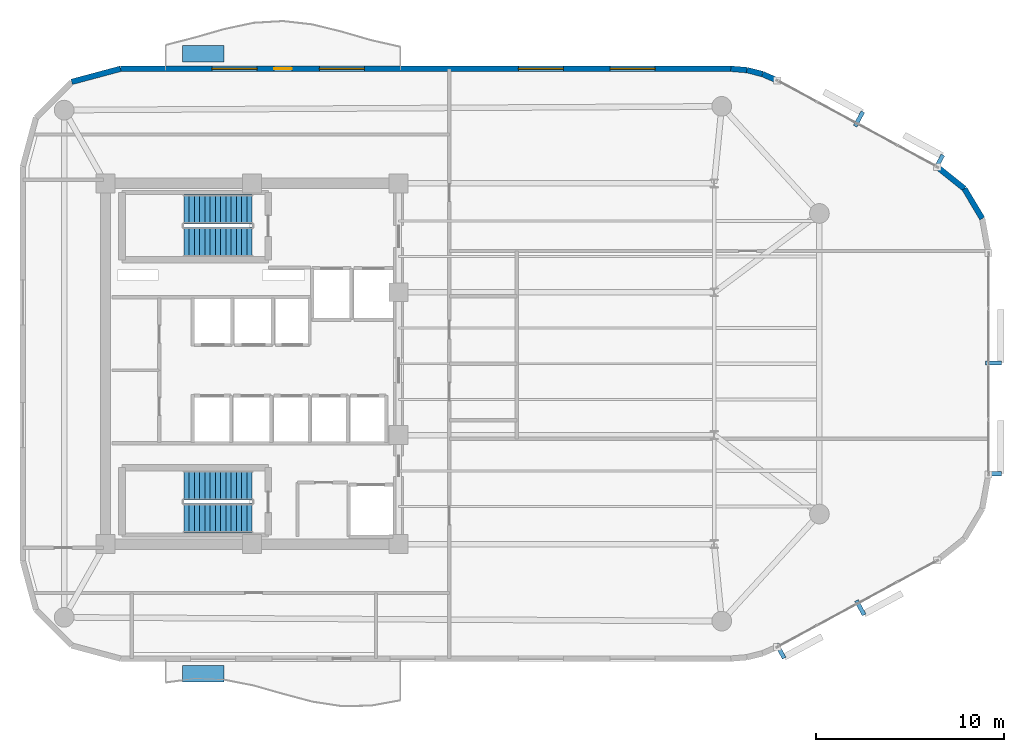
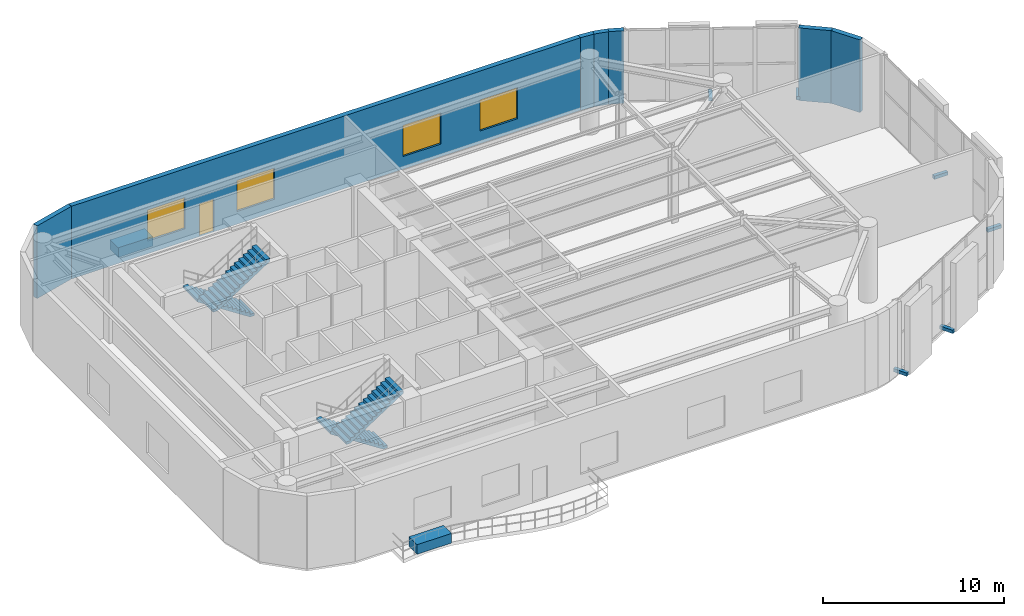
# One storey, part 9 of 11: 8 discrete accessories, 7 walls, 4 stair flights, 4 windows, 1 door, 5 openings, 2 elements without a shape of their own.
"""IFC4 building model written with IfcOpenShell, lengths in metres."""

from ifc_helpers import new_model, si_unit, direction, frame, frame_2d, origin, origin_2d, place, context, subcontext, project, spatial, polyline, rectangle, outline, extrude, material, layer, layer_set, type_object, element, fill, aggregate, save


model = new_model("IFC4")

# Units and contexts
model_context = context("Model", 3, precision=1e-05, world=origin(), true_north=direction((0.0, 1.0)))
body_context = subcontext(model_context, "Body", "Model", "MODEL_VIEW")
ifc_project = project(units=[si_unit("LENGTHUNIT", "METRE"), si_unit("AREAUNIT", "SQUARE_METRE"), si_unit("VOLUMEUNIT", "CUBIC_METRE"), si_unit("PLANEANGLEUNIT", "RADIAN"), si_unit("MASSUNIT", "GRAM", prefix="KILO")], contexts=[model_context])

# Site, building, storey
site_placement = place(None, origin())
site = spatial("IfcSite", under=ifc_project, at=site_placement, CompositionType="ELEMENT")
building_placement = place(site_placement, origin())
building = spatial("IfcBuilding", under=site, at=building_placement, Name="An Khanh Terracotta Commons", CompositionType="ELEMENT")
storey_placement = place(building_placement, frame((0.0, 0.0, 196.199951171875)))
storey = spatial("IfcBuildingStorey", under=building, at=storey_placement, Name="L51", CompositionType="ELEMENT", Elevation=196.199951171875)

# Walls
ifc_material_1 = material(Name="Precast concrete C40/50", Category="concrete")
ifc_layer = layer(ifc_material_1, 0.300048828125, Name="Precast concrete C40/50")
ifc_layer_set = layer_set([ifc_layer], Name="Precast concrete C40/50")
wall_type = type_object("IfcWallType", Name="WALL-EXT-300", PredefinedType="SOLIDWALL", material=ifc_layer_set)
wall_1_placement = place(storey_placement, frame((68.26904296875, 31.72412109375, 0.0), z_axis=(0.0, 0.0, 1.0), x_axis=(-0.512072018927, 0.858942516955, 0.0)))
element("IfcWall", 1, at=wall_1_placement, inside=storey, type_object=wall_type, Name="L51 Insulated Terracotta Exterior Wall 14", PredefinedType="SOLIDWALL", context=body_context, shape_type="SweptSolid", body=[
    extrude(rectangle(XDim=1.853271484375, YDim=0.300048828125, at=frame_2d((0.9267578125, 0.0))), origin(), (0.0, 0.0, 1.0), 4.900146484375),
])
wall_2_placement = place(storey_placement, frame((67.320068359375, 33.31591796875, 0.0), z_axis=(0.0, 0.0, 1.0), x_axis=(-0.780920189257, 0.624630817372, 0.0)))
element("IfcWall", 2, at=wall_2_placement, inside=storey, type_object=wall_type, Name="L51 Insulated Terracotta Exterior Wall 15", PredefinedType="SOLIDWALL", context=body_context, shape_type="SweptSolid", body=[
    extrude(rectangle(XDim=1.854248046875, YDim=0.300048828125, at=frame_2d((0.92724609375, 0.0))), origin(), (0.0, 0.0, 1.0), 4.900146484375),
])
wall_3_placement = place(storey_placement, frame((57.35693359375, 39.074951171875, 0.0), z_axis=(0.0, 0.0, 1.0), x_axis=(-0.916085473636, 0.400983048261, 0.0)))
element("IfcWall", 3, at=wall_3_placement, inside=storey, type_object=wall_type, Name="L51 Insulated Terracotta Exterior Wall 17", PredefinedType="SOLIDWALL", context=body_context, shape_type="SweptSolid", body=[
    extrude(rectangle(XDim=0.85791015625, YDim=0.300048828125, at=frame_2d((0.428955078125, 0.0))), origin(), (0.0, 0.0, 1.0), 4.900146484375),
])
wall_4_placement = place(storey_placement, frame((56.571044921875, 39.4189453125, 0.0), z_axis=(0.0, 0.0, 1.0), x_axis=(-0.969536346338, 0.244947490555, 0.0)))
element("IfcWall", 4, at=wall_4_placement, inside=storey, type_object=wall_type, Name="L51 Insulated Terracotta Exterior Wall 18", PredefinedType="SOLIDWALL", context=body_context, shape_type="SweptSolid", body=[
    extrude(rectangle(XDim=0.857177734375, YDim=0.300048828125, at=frame_2d((0.4287109375, 0.0))), origin(), (0.0, 0.0, 1.0), 4.900146484375),
])
wall_5_placement = place(storey_placement, frame((55.739990234375, 39.62890625, 0.0), z_axis=(0.0, 0.0, 1.0), x_axis=(-0.996565355958, 0.082809971041, 0.0)))
element("IfcWall", 5, at=wall_5_placement, inside=storey, type_object=wall_type, Name="L51 Insulated Terracotta Exterior Wall 19", PredefinedType="SOLIDWALL", context=body_context, shape_type="SweptSolid", body=[
    extrude(rectangle(XDim=0.85791015625, YDim=0.300048828125, at=frame_2d((0.428955078125, 0.0))), origin(), (0.0, 0.0, 1.0), 4.900146484375),
])

# Wall, openings, door, windows
wall_6_placement = place(storey_placement, frame((54.885009765625, 39.699951171875, 0.0), z_axis=(0.0, 0.0, 1.0), x_axis=(-1.0, 0.0, 0.0)))
wall_6 = element("IfcWall", 6, at=wall_6_placement, inside=storey, type_object=wall_type, Name="L51 Insulated Terracotta Exterior Wall 20", PredefinedType="SOLIDWALL", context=body_context, shape_type="SweptSolid", body=[
    extrude(rectangle(XDim=32.485107421875, YDim=0.300048828125, at=frame_2d((16.24267578125, 0.0))), origin(), (0.0, 0.0, 1.0), 4.900146484375),
])
opening_1_placement = place(wall_6_placement, frame((23.360107421875, 0.0, 0.0)))
opening_1 = element("IfcOpeningElement", 7, at=opening_1_placement, cuts=wall_6, Name="Opening D-BAL", PredefinedType="OPENING", context=body_context, shape_type="SweptSolid", body=[
    extrude(rectangle(XDim=0.949951171875, YDim=2.199951171875, at=frame_2d((0.47509765625, 1.10009765625))), frame((0.0, 0.159912109375, 0.0), z_axis=(0.0, -1.0, 0.0), x_axis=(1.0, 0.0, 0.0)), (0.0, 0.0, 1.0), 0.320068359375),
])
opening_2_placement = place(wall_6_placement, frame((4.028076171875, 0.0, 0.85009765625)))
opening_2 = element("IfcOpeningElement", 8, at=opening_2_placement, cuts=wall_6, Name="Opening W-07", PredefinedType="OPENING", context=body_context, shape_type="SweptSolid", body=[
    extrude(rectangle(XDim=2.39990234375, YDim=2.10009765625, at=frame_2d((1.199951171875, 1.050048828125))), frame((0.0, 0.159912109375, 0.0), z_axis=(0.0, -1.0, 0.0), x_axis=(1.0, 0.0, 0.0)), (0.0, 0.0, 1.0), 0.320068359375),
])
opening_3_placement = place(wall_6_placement, frame((8.906982421875, 0.0, 0.85009765625)))
opening_3 = element("IfcOpeningElement", 9, at=opening_3_placement, cuts=wall_6, Name="Opening W-07", PredefinedType="OPENING", context=body_context, shape_type="SweptSolid", body=[
    extrude(rectangle(XDim=2.39990234375, YDim=2.10009765625, at=frame_2d((1.199951171875, 1.050048828125))), frame((0.0, 0.159912109375, 0.0), z_axis=(0.0, -1.0, 0.0), x_axis=(1.0, 0.0, 0.0)), (0.0, 0.0, 1.0), 0.320068359375),
])
opening_4_placement = place(wall_6_placement, frame((19.501953125, 0.0, 0.85009765625)))
opening_4 = element("IfcOpeningElement", 10, at=opening_4_placement, cuts=wall_6, Name="Opening W-07", PredefinedType="OPENING", context=body_context, shape_type="SweptSolid", body=[
    extrude(rectangle(XDim=2.39990234375, YDim=2.10009765625, at=frame_2d((1.199951171875, 1.050048828125))), frame((0.0, 0.159912109375, 0.0), z_axis=(0.0, -1.0, 0.0), x_axis=(1.0, 0.0, 0.0)), (0.0, 0.0, 1.0), 0.320068359375),
])
opening_5_placement = place(wall_6_placement, frame((25.218017578125, 0.0, 0.85009765625)))
opening_5 = element("IfcOpeningElement", 11, at=opening_5_placement, cuts=wall_6, Name="Opening W-07", PredefinedType="OPENING", context=body_context, shape_type="SweptSolid", body=[
    extrude(rectangle(XDim=2.39990234375, YDim=2.10009765625, at=frame_2d((1.199951171875, 1.050048828125))), frame((0.0, 0.159912109375, 0.0), z_axis=(0.0, -1.0, 0.0), x_axis=(1.0, 0.0, 0.0)), (0.0, 0.0, 1.0), 0.320068359375),
])
ifc_material_2 = material(Name="Thermally Broken Aluminium and Low-E Glass", Category="aluminium")
door_type = type_object("IfcDoorType", Name="DOOR-BALC-950", OperationType="NOTDEFINED", PredefinedType="DOOR", material=ifc_material_2)
door_placement = place(opening_1_placement, origin())
door = element("IfcDoor", 12, at=door_placement, inside=storey, type_object=door_type, Name="L51 N Wave Balcony Glazed Door", OperationType="SINGLE_SWING_RIGHT", OverallHeight=2.199951171875, OverallWidth=0.949951171875, PredefinedType="DOOR", context=body_context, shape_type="SweptSolid", body=[
    extrude(rectangle(XDim=0.949951171875, YDim=2.199951171875, at=frame_2d((0.47509765625, 1.10009765625))), frame((0.0, 0.02490234375, 0.0), z_axis=(0.0, -1.0, 0.0), x_axis=(1.0, 0.0, 0.0)), (0.0, 0.0, 1.0), 0.050048828125),
])
fill(opening_1, door)
window_type = type_object("IfcWindowType", Name="WIN-SKY-2400x2100", PartitioningType="TRIPLE_PANEL_VERTICAL", PredefinedType="WINDOW", material=ifc_material_2)
window_1_placement = place(opening_2_placement, origin())
window_1 = element("IfcWindow", 13, at=window_1_placement, inside=storey, type_object=window_type, Name="L51 Operable Casement Window 20.1", OverallHeight=2.10009765625, OverallWidth=2.39990234375, PartitioningType="TRIPLE_PANEL_VERTICAL", PredefinedType="WINDOW", context=body_context, shape_type="SweptSolid", body=[
    extrude(rectangle(XDim=2.39990234375, YDim=2.10009765625, at=frame_2d((1.199951171875, 1.050048828125))), frame((0.0, 0.030029296875, 0.0), z_axis=(0.0, -1.0, 0.0), x_axis=(1.0, 0.0, 0.0)), (0.0, 0.0, 1.0), 0.06005859375),
])
fill(opening_2, window_1)
window_2_placement = place(opening_3_placement, origin())
window_2 = element("IfcWindow", 14, at=window_2_placement, inside=storey, type_object=window_type, Name="L51 Operable Casement Window 20.2", OverallHeight=2.10009765625, OverallWidth=2.39990234375, PartitioningType="TRIPLE_PANEL_VERTICAL", PredefinedType="WINDOW", context=body_context, shape_type="SweptSolid", body=[
    extrude(rectangle(XDim=2.39990234375, YDim=2.10009765625, at=frame_2d((1.199951171875, 1.050048828125))), frame((0.0, 0.030029296875, 0.0), z_axis=(0.0, -1.0, 0.0), x_axis=(1.0, 0.0, 0.0)), (0.0, 0.0, 1.0), 0.06005859375),
])
fill(opening_3, window_2)
window_3_placement = place(opening_4_placement, origin())
window_3 = element("IfcWindow", 15, at=window_3_placement, inside=storey, type_object=window_type, Name="L51 Operable Casement Window 20.3", OverallHeight=2.10009765625, OverallWidth=2.39990234375, PartitioningType="TRIPLE_PANEL_VERTICAL", PredefinedType="WINDOW", context=body_context, shape_type="SweptSolid", body=[
    extrude(rectangle(XDim=2.39990234375, YDim=2.10009765625, at=frame_2d((1.199951171875, 1.050048828125))), frame((0.0, 0.030029296875, 0.0), z_axis=(0.0, -1.0, 0.0), x_axis=(1.0, 0.0, 0.0)), (0.0, 0.0, 1.0), 0.06005859375),
])
fill(opening_4, window_3)
window_4_placement = place(opening_5_placement, origin())
window_4 = element("IfcWindow", 16, at=window_4_placement, inside=storey, type_object=window_type, Name="L51 Operable Casement Window 20.4", OverallHeight=2.10009765625, OverallWidth=2.39990234375, PartitioningType="TRIPLE_PANEL_VERTICAL", PredefinedType="WINDOW", context=body_context, shape_type="SweptSolid", body=[
    extrude(rectangle(XDim=2.39990234375, YDim=2.10009765625, at=frame_2d((1.199951171875, 1.050048828125))), frame((0.0, 0.030029296875, 0.0), z_axis=(0.0, -1.0, 0.0), x_axis=(1.0, 0.0, 0.0)), (0.0, 0.0, 1.0), 0.06005859375),
])
fill(opening_5, window_4)

# Wall
wall_7_placement = place(storey_placement, frame((22.39990234375, 39.699951171875, 0.0), z_axis=(0.0, 0.0, 1.0), x_axis=(-0.965889330541, -0.258955210695, 0.0)))
element("IfcWall", 17, at=wall_7_placement, inside=storey, type_object=wall_type, Name="L51 Insulated Terracotta Exterior Wall 21", PredefinedType="SOLIDWALL", context=body_context, shape_type="SweptSolid", body=[
    extrude(rectangle(XDim=2.691650390625, YDim=0.300048828125, at=frame_2d((1.345703125, 0.0))), origin(), (0.0, 0.0, 1.0), 4.900146484375),
])

# Stair, stair flights
stair_type = type_object("IfcStairType", Name="STAIR-CORE-1550", PredefinedType="HALF_TURN_STAIR", material=ifc_material_1)
stair_1_placement = place(storey_placement, origin())
stair_1 = element("IfcStair", 18, at=stair_1_placement, inside=storey, type_object=stair_type, Name="L51 Core Smokeproof Exit Stair ST-01", PredefinedType="HALF_TURN_STAIR")
stair_flight_type = type_object("IfcStairFlightType", Name="FLIGHT-CORE-1550", PredefinedType="STRAIGHT", material=ifc_material_1)
stair_flight_1_placement = place(storey_placement, frame((29.409912109375, 32.22509765625, 0.0), z_axis=(0.0, 0.0, 1.0), x_axis=(-1.0, 0.0, 0.0)))
stair_flight_1 = element("IfcStairFlight", 19, at=stair_flight_1_placement, type_object=stair_flight_type, Name="ST-01 flight 1", NumberOfRisers=14, NumberOfTreads=13, PredefinedType="STRAIGHT", RiserHeight=0.182142857, TreadLength=0.28, context=body_context, shape_type="SweptSolid", body=[
    extrude(outline(polyline([(0.0, 0.0), (0.0, 0.18212890625), (0.280029296875, 0.18212890625), (0.280029296875, 0.3642578125), (0.56005859375, 0.3642578125), (0.56005859375, 0.54638671875), (0.840087890625, 0.54638671875), (0.840087890625, 0.728515625), (1.1201171875, 0.728515625), (1.1201171875, 0.91064453125), (1.39990234375, 0.91064453125), (1.39990234375, 1.0927734375), (1.679931640625, 1.0927734375), (1.679931640625, 1.27490234375), (1.9599609375, 1.27490234375), (1.9599609375, 1.45703125), (2.239990234375, 1.45703125), (2.239990234375, 1.639404296875), (2.52001953125, 1.639404296875), (2.52001953125, 1.821533203125), (2.800048828125, 1.821533203125), (2.800048828125, 2.003662109375), (3.080078125, 2.003662109375), (3.080078125, 2.185791015625), (3.360107421875, 2.185791015625), (3.360107421875, 2.367919921875), (3.639892578125, 2.367919921875), (3.639892578125, 2.550048828125), (3.639892578125, 2.18896484375), (0.27490234375, 0.0), (0.0, 0.0)])), frame((0.0, 0.77490234375, 0.0), z_axis=(0.0, -1.0, 0.0), x_axis=(1.0, 0.0, 0.0)), (0.0, 0.0, 1.0), 1.550048828125),
])
stair_flight_2_placement = place(storey_placement, frame((25.77001953125, 30.47509765625, 2.550048828125), z_axis=(0.0, 0.0, 1.0), x_axis=(1.0, 0.0, 0.0)))
stair_flight_2 = element("IfcStairFlight", 20, at=stair_flight_2_placement, type_object=stair_flight_type, Name="ST-01 flight 2", NumberOfRisers=14, NumberOfTreads=13, PredefinedType="STRAIGHT", RiserHeight=0.182142857, TreadLength=0.28, context=body_context, shape_type="SweptSolid", body=[
    extrude(outline(polyline([(0.0, 0.0), (0.0, 0.18212890625), (0.280029296875, 0.18212890625), (0.280029296875, 0.3642578125), (0.56005859375, 0.3642578125), (0.56005859375, 0.54638671875), (0.840087890625, 0.54638671875), (0.840087890625, 0.728515625), (1.1201171875, 0.728515625), (1.1201171875, 0.91064453125), (1.39990234375, 0.91064453125), (1.39990234375, 1.0927734375), (1.679931640625, 1.0927734375), (1.679931640625, 1.27490234375), (1.9599609375, 1.27490234375), (1.9599609375, 1.45703125), (2.239990234375, 1.45703125), (2.239990234375, 1.639404296875), (2.52001953125, 1.639404296875), (2.52001953125, 1.821533203125), (2.800048828125, 1.821533203125), (2.800048828125, 2.003662109375), (3.080078125, 2.003662109375), (3.080078125, 2.185791015625), (3.360107421875, 2.185791015625), (3.360107421875, 2.367919921875), (3.639892578125, 2.367919921875), (3.639892578125, 2.550048828125), (3.639892578125, 2.18896484375), (0.27490234375, 0.0), (0.0, 0.0)])), frame((0.0, 0.77490234375, 0.0), z_axis=(0.0, -1.0, 0.0), x_axis=(1.0, 0.0, 0.0)), (0.0, 0.0, 1.0), 1.550048828125),
])
aggregate(stair_1, [stair_flight_1, stair_flight_2])

stair_2_placement = place(storey_placement, origin())
stair_2 = element("IfcStair", 21, at=stair_2_placement, inside=storey, type_object=stair_type, Name="L51 Core Smokeproof Exit Stair ST-02", PredefinedType="HALF_TURN_STAIR")
stair_flight_3_placement = place(storey_placement, frame((29.409912109375, 17.52490234375, 0.0), z_axis=(0.0, 0.0, 1.0), x_axis=(-1.0, 0.0, 0.0)))
stair_flight_3 = element("IfcStairFlight", 22, at=stair_flight_3_placement, type_object=stair_flight_type, Name="ST-02 flight 1", NumberOfRisers=14, NumberOfTreads=13, PredefinedType="STRAIGHT", RiserHeight=0.182142857, TreadLength=0.28, context=body_context, shape_type="SweptSolid", body=[
    extrude(outline(polyline([(0.0, 0.0), (0.0, 0.18212890625), (0.280029296875, 0.18212890625), (0.280029296875, 0.3642578125), (0.56005859375, 0.3642578125), (0.56005859375, 0.54638671875), (0.840087890625, 0.54638671875), (0.840087890625, 0.728515625), (1.1201171875, 0.728515625), (1.1201171875, 0.91064453125), (1.39990234375, 0.91064453125), (1.39990234375, 1.0927734375), (1.679931640625, 1.0927734375), (1.679931640625, 1.27490234375), (1.9599609375, 1.27490234375), (1.9599609375, 1.45703125), (2.239990234375, 1.45703125), (2.239990234375, 1.639404296875), (2.52001953125, 1.639404296875), (2.52001953125, 1.821533203125), (2.800048828125, 1.821533203125), (2.800048828125, 2.003662109375), (3.080078125, 2.003662109375), (3.080078125, 2.185791015625), (3.360107421875, 2.185791015625), (3.360107421875, 2.367919921875), (3.639892578125, 2.367919921875), (3.639892578125, 2.550048828125), (3.639892578125, 2.18896484375), (0.27490234375, 0.0), (0.0, 0.0)])), frame((0.0, 0.77490234375, 0.0), z_axis=(0.0, -1.0, 0.0), x_axis=(1.0, 0.0, 0.0)), (0.0, 0.0, 1.0), 1.550048828125),
])
stair_flight_4_placement = place(storey_placement, frame((25.77001953125, 15.77490234375, 2.550048828125), z_axis=(0.0, 0.0, 1.0), x_axis=(1.0, 0.0, 0.0)))
stair_flight_4 = element("IfcStairFlight", 23, at=stair_flight_4_placement, type_object=stair_flight_type, Name="ST-02 flight 2", NumberOfRisers=14, NumberOfTreads=13, PredefinedType="STRAIGHT", RiserHeight=0.182142857, TreadLength=0.28, context=body_context, shape_type="SweptSolid", body=[
    extrude(outline(polyline([(0.0, 0.0), (0.0, 0.18212890625), (0.280029296875, 0.18212890625), (0.280029296875, 0.3642578125), (0.56005859375, 0.3642578125), (0.56005859375, 0.54638671875), (0.840087890625, 0.54638671875), (0.840087890625, 0.728515625), (1.1201171875, 0.728515625), (1.1201171875, 0.91064453125), (1.39990234375, 0.91064453125), (1.39990234375, 1.0927734375), (1.679931640625, 1.0927734375), (1.679931640625, 1.27490234375), (1.9599609375, 1.27490234375), (1.9599609375, 1.45703125), (2.239990234375, 1.45703125), (2.239990234375, 1.639404296875), (2.52001953125, 1.639404296875), (2.52001953125, 1.821533203125), (2.800048828125, 1.821533203125), (2.800048828125, 2.003662109375), (3.080078125, 2.003662109375), (3.080078125, 2.185791015625), (3.360107421875, 2.185791015625), (3.360107421875, 2.367919921875), (3.639892578125, 2.367919921875), (3.639892578125, 2.550048828125), (3.639892578125, 2.18896484375), (0.27490234375, 0.0), (0.0, 0.0)])), frame((0.0, 0.77490234375, 0.0), z_axis=(0.0, -1.0, 0.0), x_axis=(1.0, 0.0, 0.0)), (0.0, 0.0, 1.0), 1.550048828125),
])
aggregate(stair_2, [stair_flight_3, stair_flight_4])

# Discrete accessories
ifc_material_3 = material(Name="Stainless Steel Grade 316L", Category="steel")
discrete_accessory_type_1 = type_object("IfcDiscreteAccessoryType", Name="Stainless Outrigger Facade Bracket", PredefinedType="BRACKET", material=ifc_material_3)
for number, where, z_axis, x_axis, name in (
    (24, (57.51806640625, 8.7109375, 0.06982421875), (0.0, 0.0, 1.0), (0.879780095306, 0.47538088298, 0.0), "L51 Terracotta Screen Outrigger Bracket 1"),
    (25, (61.77587890625, 11.010986328125, 0.06982421875), (0.0, 0.0, 1.0), (0.879780095306, 0.47538088298, 0.0), "L51 Terracotta Screen Outrigger Bracket 3"),
    (26, (68.864990234375, 18.14111328125, 0.06982421875), (0.0, 0.0, 1.0), (0.0, 1.0, 0.0), "L51 Terracotta Screen Outrigger Bracket 1"),
    (27, (68.864990234375, 24.0400390625, 0.06982421875), (0.0, 0.0, 1.0), (0.0, 1.0, 0.0), "L51 Terracotta Screen Outrigger Bracket 3"),
    (28, (65.962890625, 34.72607421875, 0.06982421875), (0.0, 0.0, 1.0), (-0.879780095306, 0.47538088298, 0.0), "L51 Terracotta Screen Outrigger Bracket 1"),
    (29, (61.705078125, 37.027099609375, 0.06982421875), (0.0, 0.0, 1.0), (-0.879780095306, 0.47538088298, 0.0), "L51 Terracotta Screen Outrigger Bracket 3"),
):
    element("IfcDiscreteAccessory", number, at=place(storey_placement, frame(where, z_axis=z_axis, x_axis=x_axis)), inside=storey, type_object=discrete_accessory_type_1, Name=name, PredefinedType="BRACKET", context=body_context, shape_type="SweptSolid", body=[
        extrude(rectangle(XDim=0.219970703125, YDim=0.8701171875, at=origin_2d()), origin(), (0.0, 0.0, 1.0), 0.219970703125),
    ])
ifc_material_4 = material(Name="Planted Garden Soil Substrate in Precast GRC", Category="concrete")
discrete_accessory_type_2 = type_object("IfcDiscreteAccessoryType", Name="Terrace Garden Planter", PredefinedType="USERDEFINED", material=ifc_material_4)
for number, where, z_axis, x_axis, name in (
    (30, (26.800048828125, 7.5, 0.0), (0.0, 0.0, 1.0), (1.0, 0.0, 0.0), "L51 S Sky Balcony Planter"),
    (31, (26.800048828125, 40.5, 0.0), (0.0, 0.0, 1.0), (1.0, 0.0, 0.0), "L51 N Sky Balcony Planter"),
):
    element("IfcDiscreteAccessory", number, at=place(storey_placement, frame(where, z_axis=z_axis, x_axis=x_axis)), inside=storey, type_object=discrete_accessory_type_2, Name=name, ObjectType="PLANTER", PredefinedType="USERDEFINED", context=body_context, shape_type="SweptSolid", body=[
        extrude(rectangle(XDim=2.199951171875, YDim=0.89990234375, at=origin_2d()), origin(), (0.0, 0.0, 1.0), 0.64990234375),
    ])

save(model, "model.ifc")
